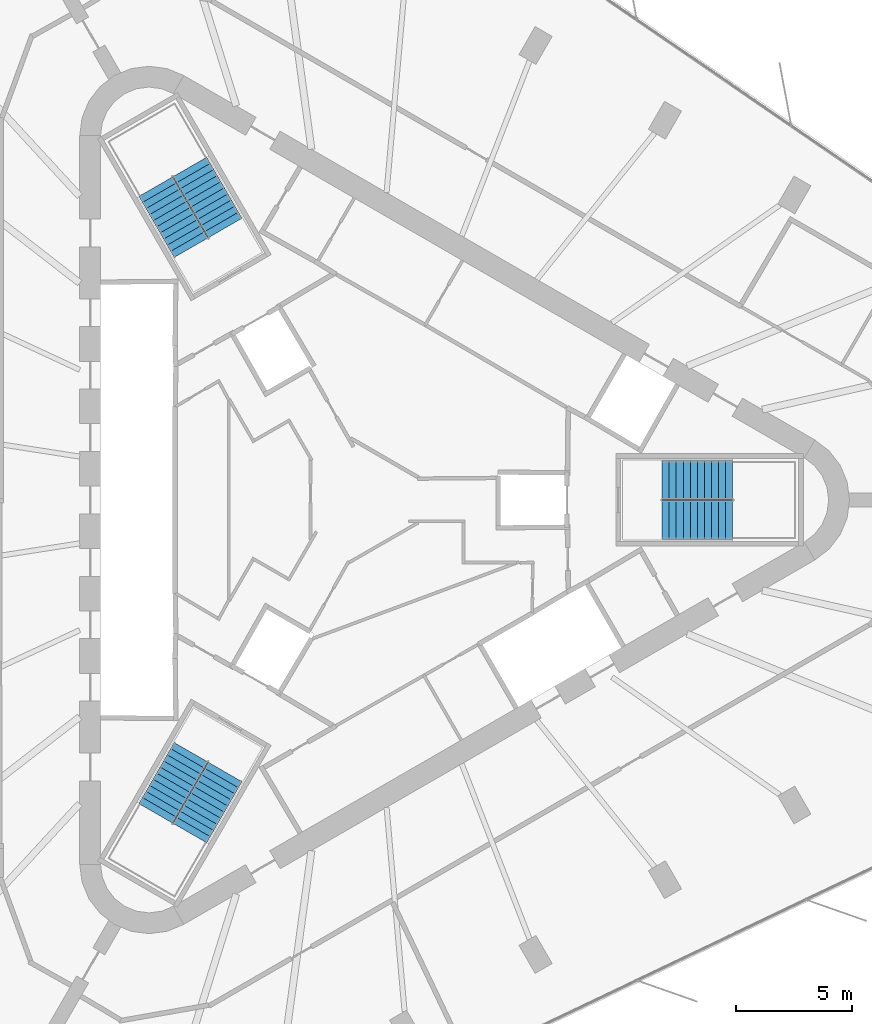
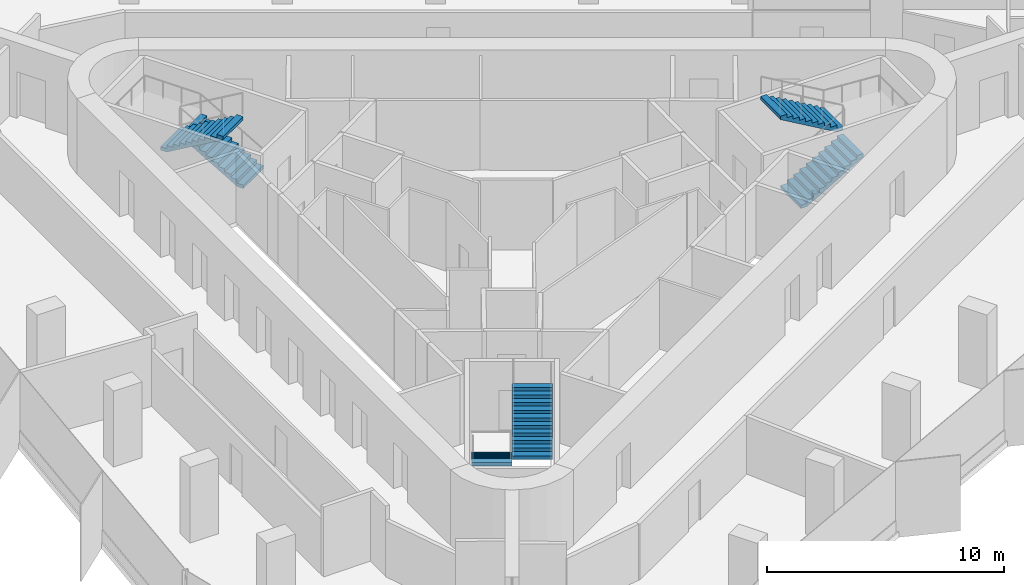
# One storey, part 13 of 14: 6 stair flights, 3 elements without a shape of their own.
"""IFC4 building model written with IfcOpenShell, lengths in metres."""

from ifc_helpers import new_model, si_unit, direction, frame, origin, place, context, subcontext, project, spatial, polyline, outline, extrude, material, type_object, element, aggregate, save


model = new_model("IFC4")

# Units and contexts
model_context = context("Model", 3, precision=1e-05, world=origin(), true_north=direction((0.0, 1.0)))
body_context = subcontext(model_context, "Body", "Model", "MODEL_VIEW")
ifc_project = project(units=[si_unit("LENGTHUNIT", "METRE"), si_unit("AREAUNIT", "SQUARE_METRE"), si_unit("VOLUMEUNIT", "CUBIC_METRE"), si_unit("PLANEANGLEUNIT", "RADIAN"), si_unit("MASSUNIT", "GRAM", prefix="KILO")], contexts=[model_context])

# Site, building, storey
site_placement = place(None, origin())
site = spatial("IfcSite", under=ifc_project, at=site_placement, CompositionType="ELEMENT")
building_placement = place(site_placement, origin())
building = spatial("IfcBuilding", under=site, at=building_placement, Name="Tanit Gate Tower", CompositionType="ELEMENT")
storey_placement = place(building_placement, frame((0.0, 0.0, 302.60009765625)))
storey = spatial("IfcBuildingStorey", under=building, at=storey_placement, Name="L67", CompositionType="ELEMENT", Elevation=302.60009765625)

# Stair, stair flights
ifc_material_1 = material(Name="Concrete C40/50", Category="concrete")
stair_type = type_object("IfcStairType", Name="INT-STAIR-EXIT", PredefinedType="HALF_TURN_STAIR", material=ifc_material_1)
stair_1_placement = place(storey_placement, origin())
stair_1 = element("IfcStair", 1, at=stair_1_placement, inside=storey, type_object=stair_type, Name="L67 STAIR S1", PredefinedType="HALF_TURN_STAIR")
ifc_material_2 = material(Name="Concrete C40/50", Category="concrete")
stair_flight_type = type_object("IfcStairFlightType", Name="INT-STAIR-FLIGHT", PredefinedType="STRAIGHT", material=ifc_material_2)
stair_flight_1_placement = place(storey_placement, frame((13.094970703125, -0.8525390625, 0.0), z_axis=(0.0, 0.0, 1.0), x_axis=(1.0, 0.0, 0.0)))
stair_flight_1 = element("IfcStairFlight", 2, at=stair_flight_1_placement, type_object=stair_flight_type, Name="S1 flight 1", NumberOfRisers=11, NumberOfTreads=10, PredefinedType="STRAIGHT", RiserHeight=0.177272727, TreadLength=0.3051, context=body_context, shape_type="SweptSolid", body=[
    extrude(outline(polyline([(0.0, 0.0), (0.0, 0.17724609375), (0.30517578125, 0.17724609375), (0.30517578125, 0.3544921875), (0.610107421875, 0.3544921875), (0.610107421875, 0.53173828125), (0.915283203125, 0.53173828125), (0.915283203125, 0.708984375), (1.220458984375, 0.708984375), (1.220458984375, 0.886474609375), (1.525390625, 0.886474609375), (1.525390625, 1.063720703125), (1.83056640625, 1.063720703125), (1.83056640625, 1.240966796875), (2.1357421875, 1.240966796875), (2.1357421875, 1.418212890625), (2.44091796875, 1.418212890625), (2.44091796875, 1.595458984375), (2.745849609375, 1.595458984375), (2.745849609375, 1.772705078125), (3.051025390625, 1.772705078125), (3.051025390625, 1.949951171875), (3.051025390625, 1.599365234375), (0.29833984375, 0.0), (0.0, 0.0)])), frame((0.0, 0.84765625, 0.0), z_axis=(0.0, -1.0, 0.0), x_axis=(1.0, 0.0, 0.0)), (0.0, 0.0, 1.0), 1.695068359375),
])
stair_flight_2_placement = place(storey_placement, frame((16.14599609375, 0.8525390625, 1.949951171875), z_axis=(0.0, 0.0, 1.0), x_axis=(-1.0, 0.0, 0.0)))
stair_flight_2 = element("IfcStairFlight", 3, at=stair_flight_2_placement, type_object=stair_flight_type, Name="S1 flight 2", NumberOfRisers=11, NumberOfTreads=10, PredefinedType="STRAIGHT", RiserHeight=0.177272727, TreadLength=0.3051, context=body_context, shape_type="SweptSolid", body=[
    extrude(outline(polyline([(0.0, 0.0), (0.0, 0.17724609375), (0.30517578125, 0.17724609375), (0.30517578125, 0.3544921875), (0.610107421875, 0.3544921875), (0.610107421875, 0.53173828125), (0.915283203125, 0.53173828125), (0.915283203125, 0.708984375), (1.220458984375, 0.708984375), (1.220458984375, 0.886474609375), (1.525390625, 0.886474609375), (1.525390625, 1.063720703125), (1.83056640625, 1.063720703125), (1.83056640625, 1.240966796875), (2.1357421875, 1.240966796875), (2.1357421875, 1.418212890625), (2.44091796875, 1.418212890625), (2.44091796875, 1.595458984375), (2.745849609375, 1.595458984375), (2.745849609375, 1.772705078125), (3.051025390625, 1.772705078125), (3.051025390625, 1.949951171875), (3.051025390625, 1.599365234375), (0.29833984375, 0.0), (0.0, 0.0)])), frame((0.0, 0.84765625, 0.0), z_axis=(0.0, -1.0, 0.0), x_axis=(1.0, 0.0, 0.0)), (0.0, 0.0, 1.0), 1.695068359375),
])
aggregate(stair_1, [stair_flight_1, stair_flight_2])

stair_2_placement = place(storey_placement, origin())
stair_2 = element("IfcStair", 4, at=stair_2_placement, inside=storey, type_object=stair_type, Name="L67 STAIR S2", PredefinedType="HALF_TURN_STAIR")
stair_flight_3_placement = place(storey_placement, frame((-5.808349609375, 11.766357421875, 0.0), z_axis=(0.0, 0.0, 1.0), x_axis=(-0.5, 0.866025403784, 0.0)))
stair_flight_3 = element("IfcStairFlight", 5, at=stair_flight_3_placement, type_object=stair_flight_type, Name="S2 flight 1", NumberOfRisers=11, NumberOfTreads=10, PredefinedType="STRAIGHT", RiserHeight=0.177272727, TreadLength=0.30492, context=body_context, shape_type="SweptSolid", body=[
    extrude(outline(polyline([(0.0, 0.0), (0.0, 0.17724609375), (0.304931640625, 0.17724609375), (0.304931640625, 0.3544921875), (0.60986328125, 0.3544921875), (0.60986328125, 0.53173828125), (0.914794921875, 0.53173828125), (0.914794921875, 0.708984375), (1.2197265625, 0.708984375), (1.2197265625, 0.886474609375), (1.524658203125, 0.886474609375), (1.524658203125, 1.063720703125), (1.82958984375, 1.063720703125), (1.82958984375, 1.240966796875), (2.134521484375, 1.240966796875), (2.134521484375, 1.418212890625), (2.439453125, 1.418212890625), (2.439453125, 1.595458984375), (2.744384765625, 1.595458984375), (2.744384765625, 1.772705078125), (3.04931640625, 1.772705078125), (3.04931640625, 1.949951171875), (3.04931640625, 1.599365234375), (0.29833984375, 0.0), (0.0, 0.0)])), frame((0.0, 0.84716796875, 0.0), z_axis=(0.0, -1.0, 0.0), x_axis=(1.0, 0.0, 0.0)), (0.0, 0.0, 1.0), 1.694091796875),
])
stair_flight_4_placement = place(storey_placement, frame((-8.810302734375, 13.553955078125, 1.949951171875), z_axis=(0.0, 0.0, 1.0), x_axis=(0.5, -0.866025403784, 0.0)))
stair_flight_4 = element("IfcStairFlight", 6, at=stair_flight_4_placement, type_object=stair_flight_type, Name="S2 flight 2", NumberOfRisers=11, NumberOfTreads=10, PredefinedType="STRAIGHT", RiserHeight=0.177272727, TreadLength=0.30492, context=body_context, shape_type="SweptSolid", body=[
    extrude(outline(polyline([(0.0, 0.0), (0.0, 0.17724609375), (0.304931640625, 0.17724609375), (0.304931640625, 0.3544921875), (0.60986328125, 0.3544921875), (0.60986328125, 0.53173828125), (0.914794921875, 0.53173828125), (0.914794921875, 0.708984375), (1.2197265625, 0.708984375), (1.2197265625, 0.886474609375), (1.524658203125, 0.886474609375), (1.524658203125, 1.063720703125), (1.82958984375, 1.063720703125), (1.82958984375, 1.240966796875), (2.134521484375, 1.240966796875), (2.134521484375, 1.418212890625), (2.439453125, 1.418212890625), (2.439453125, 1.595458984375), (2.744384765625, 1.595458984375), (2.744384765625, 1.772705078125), (3.04931640625, 1.772705078125), (3.04931640625, 1.949951171875), (3.04931640625, 1.599365234375), (0.29833984375, 0.0), (0.0, 0.0)])), frame((0.0, 0.84716796875, 0.0), z_axis=(0.0, -1.0, 0.0), x_axis=(1.0, 0.0, 0.0)), (0.0, 0.0, 1.0), 1.694091796875),
])
aggregate(stair_2, [stair_flight_3, stair_flight_4])

stair_3_placement = place(storey_placement, origin())
stair_3 = element("IfcStair", 7, at=stair_3_placement, inside=storey, type_object=stair_type, Name="L67 STAIR S3", PredefinedType="HALF_TURN_STAIR")
stair_flight_5_placement = place(storey_placement, frame((-7.285888671875, -10.914306640625, 0.0), z_axis=(0.0, 0.0, 1.0), x_axis=(-0.5, -0.866025403784, 0.0)))
stair_flight_5 = element("IfcStairFlight", 8, at=stair_flight_5_placement, type_object=stair_flight_type, Name="S3 flight 1", NumberOfRisers=11, NumberOfTreads=10, PredefinedType="STRAIGHT", RiserHeight=0.177272727, TreadLength=0.3051, context=body_context, shape_type="SweptSolid", body=[
    extrude(outline(polyline([(0.0, 0.0), (0.0, 0.17724609375), (0.30517578125, 0.17724609375), (0.30517578125, 0.3544921875), (0.610107421875, 0.3544921875), (0.610107421875, 0.53173828125), (0.915283203125, 0.53173828125), (0.915283203125, 0.708984375), (1.220458984375, 0.708984375), (1.220458984375, 0.886474609375), (1.525390625, 0.886474609375), (1.525390625, 1.063720703125), (1.83056640625, 1.063720703125), (1.83056640625, 1.240966796875), (2.1357421875, 1.240966796875), (2.1357421875, 1.418212890625), (2.44091796875, 1.418212890625), (2.44091796875, 1.595458984375), (2.745849609375, 1.595458984375), (2.745849609375, 1.772705078125), (3.051025390625, 1.772705078125), (3.051025390625, 1.949951171875), (3.051025390625, 1.599365234375), (0.29833984375, 0.0), (0.0, 0.0)])), frame((0.0, 0.84765625, 0.0), z_axis=(0.0, -1.0, 0.0), x_axis=(1.0, 0.0, 0.0)), (0.0, 0.0, 1.0), 1.695068359375),
])
stair_flight_6_placement = place(storey_placement, frame((-7.334716796875, -14.4091796875, 1.949951171875), z_axis=(0.0, 0.0, 1.0), x_axis=(0.5, 0.866025403784, 0.0)))
stair_flight_6 = element("IfcStairFlight", 9, at=stair_flight_6_placement, type_object=stair_flight_type, Name="S3 flight 2", NumberOfRisers=11, NumberOfTreads=10, PredefinedType="STRAIGHT", RiserHeight=0.177272727, TreadLength=0.3051, context=body_context, shape_type="SweptSolid", body=[
    extrude(outline(polyline([(0.0, 0.0), (0.0, 0.17724609375), (0.30517578125, 0.17724609375), (0.30517578125, 0.3544921875), (0.610107421875, 0.3544921875), (0.610107421875, 0.53173828125), (0.915283203125, 0.53173828125), (0.915283203125, 0.708984375), (1.220458984375, 0.708984375), (1.220458984375, 0.886474609375), (1.525390625, 0.886474609375), (1.525390625, 1.063720703125), (1.83056640625, 1.063720703125), (1.83056640625, 1.240966796875), (2.1357421875, 1.240966796875), (2.1357421875, 1.418212890625), (2.44091796875, 1.418212890625), (2.44091796875, 1.595458984375), (2.745849609375, 1.595458984375), (2.745849609375, 1.772705078125), (3.051025390625, 1.772705078125), (3.051025390625, 1.949951171875), (3.051025390625, 1.599365234375), (0.29833984375, 0.0), (0.0, 0.0)])), frame((0.0, 0.84765625, 0.0), z_axis=(0.0, -1.0, 0.0), x_axis=(1.0, 0.0, 0.0)), (0.0, 0.0, 1.0), 1.695068359375),
])
aggregate(stair_3, [stair_flight_5, stair_flight_6])

save(model, "model.ifc")
